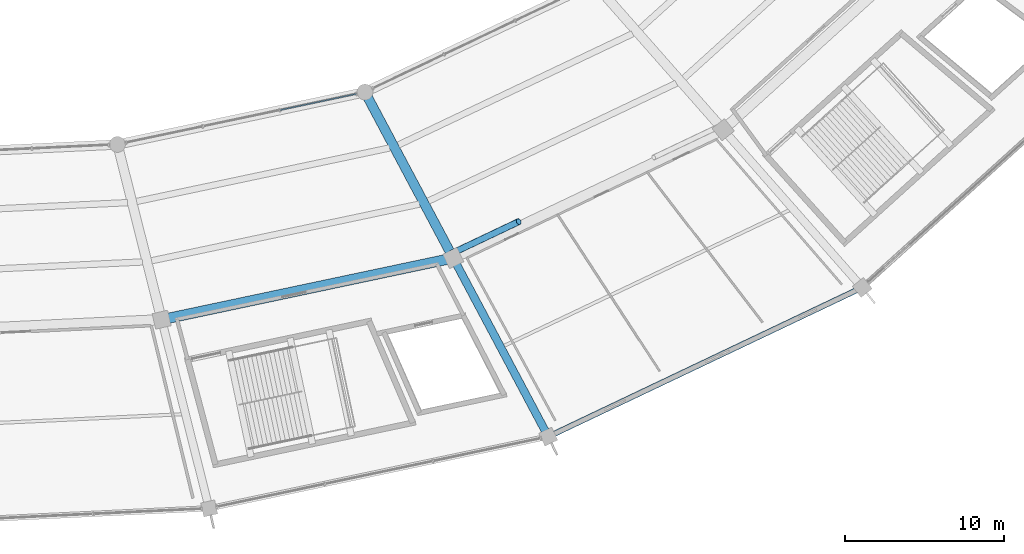
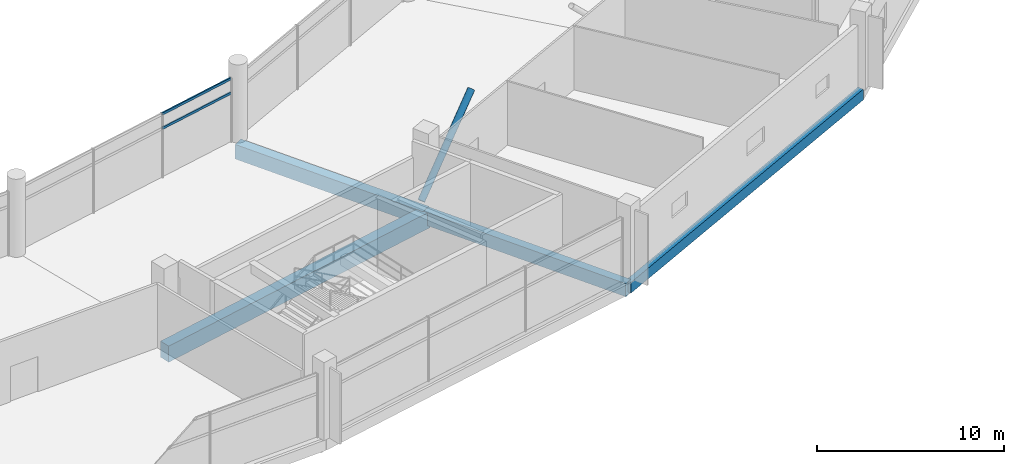
# One storey, part 63 of 184: 4 beams, 3 members, 1 element without a shape of its own.
"""IFC4 building model written with IfcOpenShell, lengths in metres."""

from ifc_helpers import new_model, si_unit, direction, frame, origin, origin_2d, place, context, subcontext, project, spatial, rectangle, hollow_rectangle, hollow_circle, extrude, material, layer, layer_set, material_profile, profile_set, type_object, element, aggregate, save


model = new_model("IFC4")

# Units and contexts
model_context = context("Model", 3, precision=1e-05, world=origin(), true_north=direction((0.0, 1.0)))
body_context = subcontext(model_context, "Body", "Model", "MODEL_VIEW")
ifc_project = project(units=[si_unit("LENGTHUNIT", "METRE"), si_unit("AREAUNIT", "SQUARE_METRE"), si_unit("VOLUMEUNIT", "CUBIC_METRE"), si_unit("PLANEANGLEUNIT", "RADIAN"), si_unit("MASSUNIT", "GRAM", prefix="KILO")], contexts=[model_context])

# Site, building, storey
site_placement = place(None, origin())
site = spatial("IfcSite", under=ifc_project, at=site_placement, CompositionType="ELEMENT")
building_placement = place(site_placement, origin())
building = spatial("IfcBuilding", under=site, at=building_placement, Name="Kazemori Nagisa Stadium", CompositionType="ELEMENT")
storey_placement = place(building_placement, frame((0.0, 0.0, 10.5400390625)))
storey = spatial("IfcBuildingStorey", under=building, at=storey_placement, Name="L02", CompositionType="ELEMENT", Elevation=10.5400390625)

# Beams
ifc_material_1 = material(Name="Concrete C40/50 (Fc42)", Category="concrete")
ifc_material_profile_1 = material_profile(ifc_material_1, rectangle(XDim=0.5, YDim=0.85009765625, at=origin_2d()), Name="RC-BM-500x850")
ifc_profile_set_1 = profile_set([ifc_material_profile_1], Name="Concrete C40/50 (Fc42)")
beam_type_1 = type_object("IfcBeamType", Name="Beam_BG-RC500X850", PredefinedType="BEAM", material=ifc_profile_set_1)
beam_1_placement = place(storey_placement, frame((159.81201171875, 32.80078125, -0.68505859375), z_axis=(0.469648511848, -0.882853484628, 0.0), x_axis=(0.882853484628, 0.469648511848, 0.0)))
element("IfcBeam", 1, at=beam_1_placement, inside=storey, type_object=beam_type_1, Name="Radial girder BG-RC500X850 L02 R2-R3-24", PredefinedType="BEAM", context=body_context, shape_type="SweptSolid", body=[
    extrude(rectangle(XDim=0.5, YDim=0.85009765625, at=origin_2d()), origin(), (0.0, 0.0, 1.0), 12.760009765625),
])
ifc_material_profile_2 = material_profile(ifc_material_1, rectangle(XDim=0.60009765625, YDim=0.949951171875, at=origin_2d()), Name="RC-BM-600x950")
ifc_profile_set_2 = profile_set([ifc_material_profile_2], Name="Concrete C40/50 (Fc42)")
beam_type_2 = type_object("IfcBeamType", Name="Beam_BG-RC600X950", PredefinedType="BEAM", material=ifc_profile_set_2)
beam_2_placement = place(storey_placement, frame((154.24755859375, 43.260986328125, -0.735107421875), z_axis=(0.469646804203, -0.882854393036, 0.0), x_axis=(0.882854393036, 0.469646804203, 0.0)))
element("IfcBeam", 2, at=beam_2_placement, inside=storey, type_object=beam_type_2, Name="Radial girder BG-RC600X950 L02 R1-R2-24", PredefinedType="BEAM", context=body_context, shape_type="SweptSolid", body=[
    extrude(rectangle(XDim=0.60009765625, YDim=0.949951171875, at=origin_2d()), origin(), (0.0, 0.0, 1.0), 11.84814453125),
])
ifc_material_profile_3 = material_profile(ifc_material_1, rectangle(XDim=0.64990234375, YDim=1.050048828125, at=origin_2d()), Name="RC-BM-650x1050")
ifc_profile_set_3 = profile_set([ifc_material_profile_3], Name="Concrete C40/50 (Fc42)")
beam_type_3 = type_object("IfcBeamType", Name="Beam_BG-RC650X1050", PredefinedType="BEAM", material=ifc_profile_set_3)
beam_3_placement = place(storey_placement, frame((141.427734375, 28.911376953125, -0.78515625), z_axis=(0.978345149833, 0.206980114499, 0.0), x_axis=(-0.206980114499, 0.978345149833, 0.0)))
element("IfcBeam", 3, at=beam_3_placement, inside=storey, type_object=beam_type_3, Name="Ring girder BG-RC650X1050 L02 R2-23", PredefinedType="BEAM", context=body_context, shape_type="SweptSolid", body=[
    extrude(rectangle(XDim=0.64990234375, YDim=1.050048828125, at=origin_2d()), origin(), (0.0, 0.0, 1.0), 18.791259765625),
])
ifc_material_profile_4 = material_profile(ifc_material_1, rectangle(XDim=0.35009765625, YDim=0.699951171875, at=origin_2d()), Name="RC-SP-350x700")
ifc_profile_set_4 = profile_set([ifc_material_profile_4], Name="Concrete C40/50 (Fc42)")
beam_type_4 = type_object("IfcBeamType", Name="Beam_BS-RC350X700", PredefinedType="SPANDREL", material=ifc_profile_set_4)
beam_4_placement = place(storey_placement, frame((165.8046875, 21.53564453125, -0.610107421875), z_axis=(0.903215644095, 0.429187022475, 0.0), x_axis=(-0.429187022475, 0.903215644095, 0.0)))
element("IfcBeam", 4, at=beam_4_placement, inside=storey, type_object=beam_type_4, Name="Ring girder BS-RC350X700 L02 R3-24", PredefinedType="SPANDREL", context=body_context, shape_type="SweptSolid", body=[
    extrude(rectangle(XDim=0.35009765625, YDim=0.699951171875, at=origin_2d()), origin(), (0.0, 0.0, 1.0), 21.9140625),
])

# Member
ifc_material_2 = material(Name="Steel STK490", Category="steel")
ifc_material_profile_5 = material_profile(ifc_material_2, hollow_circle(Radius=0.203125, WallThickness=0.014404296875, at=origin_2d()), Name="CHS-406.4x14.3")
ifc_profile_set_5 = profile_set([ifc_material_profile_5], Name="Steel STK490")
member_type_1 = type_object("IfcMemberType", Name="Member_TB-CHS406", PredefinedType="BRACE", material=ifc_profile_set_5)
member_1_placement = place(storey_placement, frame((159.683349609375, 33.07177734375, 0.14990234375), z_axis=(0.64627901954, 0.30706688313, 0.698593843508), x_axis=(-0.429152995666, 0.903231812057, 0.0)))
element("IfcMember", 5, at=member_1_placement, inside=storey, type_object=member_type_1, Name="Seismic brace TB-CHS355 L02 B24-A", PredefinedType="BRACE", context=body_context, shape_type="SweptSolid", body=[
    extrude(hollow_circle(Radius=0.203125, WallThickness=0.014404296875, at=origin_2d()), origin(), (0.0, 0.0, 1.0), 6.584716796875),
])

# Curtain wall, members
ifc_material_3 = material(Name="Anodised aluminium 6063-T5", Category="aluminium")
ifc_layer = layer(ifc_material_3, 0.2099609375, Name="Anodised aluminium 6063-T5", Category="aluminium")
ifc_layer_set = layer_set([ifc_layer], Name="Anodised aluminium 6063-T5")
curtain_wall_type = type_object("IfcCurtainWallType", Name="CW_L02B_75", PredefinedType="USERDEFINED", material=ifc_layer_set)
curtain_wall_placement = place(storey_placement, origin())
curtain_wall = element("IfcCurtainWall", 6, at=curtain_wall_placement, inside=storey, type_object=curtain_wall_type, Name="Unitised curtain wall CW-L02B-75 L02", ObjectType="UNITISED CURTAIN WALL", PredefinedType="USERDEFINED")
ifc_material_4 = material(Name="Aluminium 6063-T5 anodised", Category="aluminium")
ifc_material_profile_6 = material_profile(ifc_material_4, hollow_rectangle(XDim=0.080078125, YDim=0.159912109375, WallThickness=0.00390625, at=origin_2d()), Name="ALU-TRAN-80x160x4")
ifc_profile_set_6 = profile_set([ifc_material_profile_6], Name="Aluminium 6063-T5 anodised")
member_type_2 = type_object("IfcMemberType", Name="Transom_T02", PredefinedType="USERDEFINED", material=ifc_profile_set_6)
member_2_placement = place(storey_placement, frame((148.890869140625, 42.1279296875, 3.184326171875), z_axis=(0.978348737064, 0.206963157798, 0.0), x_axis=(-0.206963157798, 0.978348737064, 0.0)))
member_2 = element("IfcMember", 7, at=member_2_placement, type_object=member_type_2, Name="Curtain wall transom CW-L02B-75-T3-mid", ObjectType="TRANSOM", PredefinedType="USERDEFINED", context=body_context, shape_type="SweptSolid", body=[
    extrude(hollow_rectangle(XDim=0.080078125, YDim=0.159912109375, WallThickness=0.00390625, at=origin_2d()), origin(), (0.0, 0.0, 1.0), 4.920166015625),
])
member_3_placement = place(storey_placement, frame((148.890869140625, 42.1279296875, 4.119873046875), z_axis=(0.978348737064, 0.206963157798, 0.0), x_axis=(-0.206963157798, 0.978348737064, 0.0)))
member_3 = element("IfcMember", 8, at=member_3_placement, type_object=member_type_2, Name="Curtain wall transom CW-L02B-75-T3-head", ObjectType="TRANSOM", PredefinedType="USERDEFINED", context=body_context, shape_type="SweptSolid", body=[
    extrude(hollow_rectangle(XDim=0.080078125, YDim=0.159912109375, WallThickness=0.00390625, at=origin_2d()), origin(), (0.0, 0.0, 1.0), 4.920166015625),
])
aggregate(curtain_wall, [member_2, member_3])

save(model, "model.ifc")
